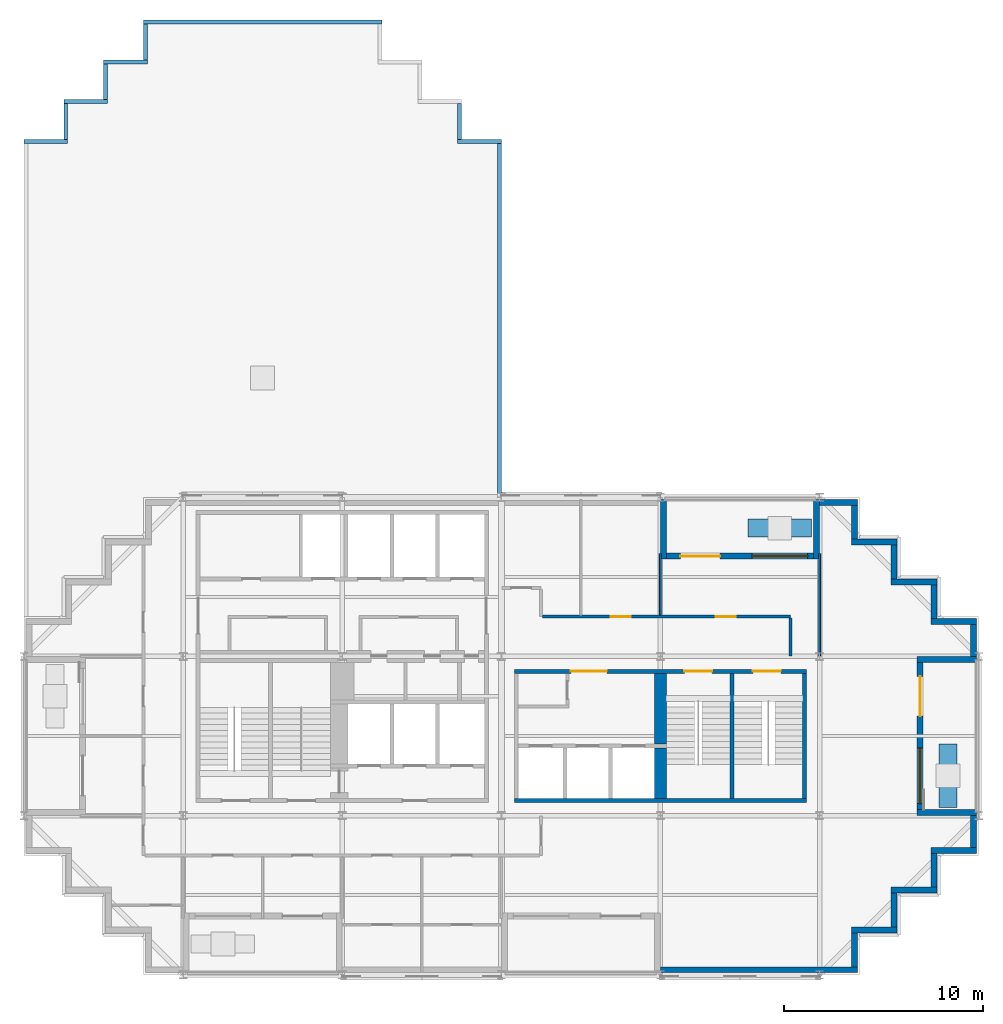
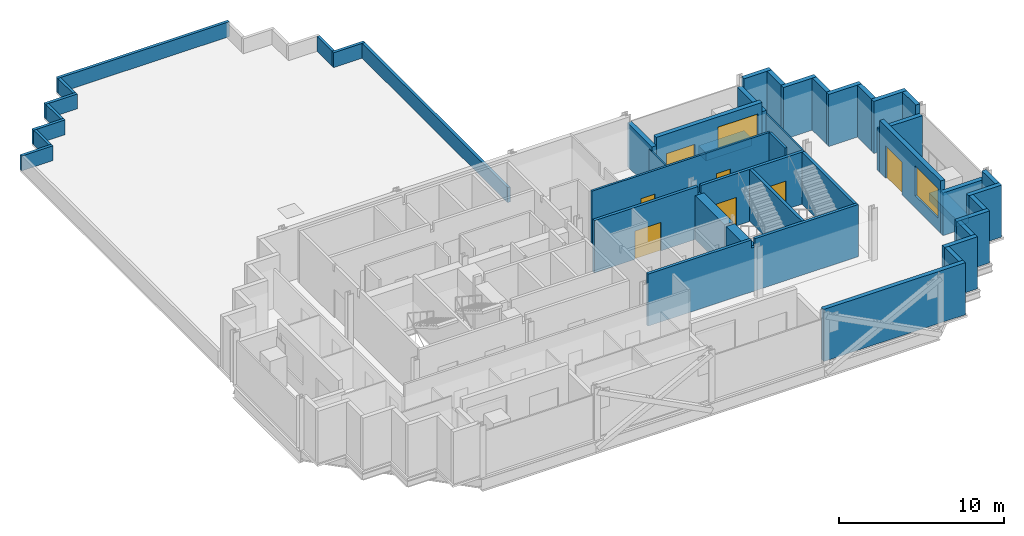
# One storey, part 6 of 9: 44 walls, 7 doors, 2 windows, 9 openings.
"""IFC4 building model written with IfcOpenShell, lengths in metres."""

from ifc_helpers import new_model, si_unit, direction, frame, frame_2d, origin, place, context, subcontext, project, spatial, polyline, rectangle, outline, extrude, material, layer, layer_set, type_object, element, fill, save


model = new_model("IFC4")

# Units and contexts
model_context = context("Model", 3, precision=1e-05, world=origin(), true_north=direction((0.0, 1.0)))
body_context = subcontext(model_context, "Body", "Model", "MODEL_VIEW")
ifc_project = project(units=[si_unit("LENGTHUNIT", "METRE"), si_unit("AREAUNIT", "SQUARE_METRE"), si_unit("VOLUMEUNIT", "CUBIC_METRE"), si_unit("PLANEANGLEUNIT", "RADIAN"), si_unit("MASSUNIT", "GRAM", prefix="KILO")], contexts=[model_context])

# Site, building, storey
site_placement = place(None, origin())
site = spatial("IfcSite", under=ifc_project, at=site_placement, CompositionType="ELEMENT")
building_placement = place(site_placement, origin())
building = spatial("IfcBuilding", under=site, at=building_placement, Name="Immortelle Media Tower", CompositionType="ELEMENT")
storey_placement = place(building_placement, frame((0.0, 0.0, 189.0)))
storey = spatial("IfcBuildingStorey", under=building, at=storey_placement, Name="L39", CompositionType="ELEMENT", Elevation=189.0)

# Wall
ifc_material_1 = material(Name="Fire-rated gypsum board", Category="gypsum")
ifc_layer_1 = layer(ifc_material_1, 0.012451171875)
ifc_material_2 = material(Name="Steel ASTM A653 SS Gr 50 stud frame with mineral wool", Category="steel")
ifc_layer_2 = layer(ifc_material_2, 0.125)
ifc_layer_3 = layer(ifc_material_1, 0.012451171875)
ifc_layer_set_1 = layer_set([ifc_layer_1, ifc_layer_2, ifc_layer_3], Name="Steel ASTM A653 SS Gr 50 stud frame with mineral wool")
wall_type_1 = type_object("IfcWallType", Name="Corridor wall 150", PredefinedType="PARTITIONING", material=ifc_layer_set_1)
wall_1_placement = place(storey_placement, frame((38.550048828125, 16.030029296875, 0.0), z_axis=(0.0, 0.0, 1.0), x_axis=(0.0, 1.0, 0.0)))
element("IfcWall", 1, at=wall_1_placement, inside=storey, type_object=wall_type_1, Name="Partition L39-017", PredefinedType="PARTITIONING", context=body_context, shape_type="SweptSolid", body=[
    extrude(rectangle(XDim=1.89501953125, YDim=0.14990234375, at=frame_2d((0.947509765625, 0.0))), origin(), (0.0, 0.0, 1.0), 3.85009765625),
])

# Wall, openings, doors
wall_2_placement = place(storey_placement, frame((26.074951171875, 18.0, 0.0), z_axis=(0.0, 0.0, 1.0), x_axis=(1.0, 0.0, 0.0)))
wall_2 = element("IfcWall", 2, at=wall_2_placement, inside=storey, type_object=wall_type_1, Name="Partition L39-019", PredefinedType="PARTITIONING", context=body_context, shape_type="SweptSolid", body=[
    extrude(rectangle(XDim=12.47509765625, YDim=0.14990234375, at=frame_2d((6.237548828125, 0.0))), origin(), (0.0, 0.0, 1.0), 3.85009765625),
])
opening_1_placement = place(wall_2_placement, frame((8.699951171875, 0.0, 0.0)))
opening_1 = element("IfcOpeningElement", 3, at=opening_1_placement, cuts=wall_2, Name="Opening O1-F013", PredefinedType="OPENING", context=body_context, shape_type="SweptSolid", body=[
    extrude(rectangle(XDim=1.0, YDim=2.10009765625, at=frame_2d((0.5, 1.050048828125))), frame((0.0, 0.0849609375, 0.0), z_axis=(0.0, -1.0, 0.0), x_axis=(1.0, 0.0, 0.0)), (0.0, 0.0, 1.0), 0.169921875),
])
opening_2_placement = place(wall_2_placement, frame((3.425048828125, 0.0, 0.0)))
opening_2 = element("IfcOpeningElement", 4, at=opening_2_placement, cuts=wall_2, Name="Opening O1-F015", PredefinedType="OPENING", context=body_context, shape_type="SweptSolid", body=[
    extrude(rectangle(XDim=1.0, YDim=2.10009765625, at=frame_2d((0.5, 1.050048828125))), frame((0.0, 0.0849609375, 0.0), z_axis=(0.0, -1.0, 0.0), x_axis=(1.0, 0.0, 0.0)), (0.0, 0.0, 1.0), 0.169921875),
])
ifc_material_3 = material(Name="Timber veneered door leaf, galvanised steel frame ASTM A653", Category="steel")
door_type_1 = type_object("IfcDoorType", Name="Room door 1000 x 2100", OperationType="NOTDEFINED", PredefinedType="DOOR", material=ifc_material_3)
door_1_placement = place(opening_1_placement, origin())
door_1 = element("IfcDoor", 5, at=door_1_placement, inside=storey, type_object=door_type_1, Name="Door O1-F013", OperationType="SINGLE_SWING_LEFT", OverallHeight=2.10009765625, OverallWidth=1.0, PredefinedType="DOOR", context=body_context, shape_type="SweptSolid", body=[
    extrude(rectangle(XDim=1.0, YDim=2.10009765625, at=frame_2d((0.5, 1.050048828125))), frame((0.0, 0.02490234375, 0.0), z_axis=(0.0, -1.0, 0.0), x_axis=(1.0, 0.0, 0.0)), (0.0, 0.0, 1.0), 0.050048828125),
])
fill(opening_1, door_1)
door_2_placement = place(opening_2_placement, origin())
door_2 = element("IfcDoor", 6, at=door_2_placement, inside=storey, type_object=door_type_1, Name="Door O1-F015", OperationType="SINGLE_SWING_LEFT", OverallHeight=2.10009765625, OverallWidth=1.0, PredefinedType="DOOR", context=body_context, shape_type="SweptSolid", body=[
    extrude(rectangle(XDim=1.0, YDim=2.10009765625, at=frame_2d((0.5, 1.050048828125))), frame((0.0, 0.02490234375, 0.0), z_axis=(0.0, -1.0, 0.0), x_axis=(1.0, 0.0, 0.0)), (0.0, 0.0, 1.0), 0.050048828125),
])
fill(opening_2, door_2)

# Walls
ifc_material_4 = material(Name="Pale aluminium cladding panel", Category="aluminium")
ifc_layer_4 = layer(ifc_material_4, 0.030029296875)
ifc_layer_5 = layer(ifc_material_2, 0.257568359375)
ifc_material_5 = material(Name="Moisture-resistant gypsum board", Category="gypsum")
ifc_layer_6 = layer(ifc_material_5, 0.012451171875)
ifc_layer_set_2 = layer_set([ifc_layer_4, ifc_layer_5, ifc_layer_6], Name="Steel ASTM A653 SS Gr 50 stud frame with mineral wool")
wall_type_2 = type_object("IfcWallType", Name="Facade wall 300", PredefinedType="SOLIDWALL", material=ifc_layer_set_2)
wall_3_placement = place(storey_placement, frame((32.0, 0.25, 0.0), z_axis=(0.0, 0.0, 1.0), x_axis=(1.0, 0.0, 0.0)))
element("IfcWall", 7, at=wall_3_placement, inside=storey, type_object=wall_type_2, Name="Facade wall L39 S6", PredefinedType="SOLIDWALL", context=body_context, shape_type="SweptSolid", body=[
    extrude(rectangle(XDim=9.89990234375, YDim=0.300048828125, at=frame_2d((4.949951171875, 0.0))), origin(), (0.0, 0.0, 1.0), 3.85009765625),
])
wall_4_placement = place(storey_placement, frame((41.75, 0.39990234375, 0.0), z_axis=(0.0, 0.0, 1.0), x_axis=(0.0, 1.0, 0.0)))
element("IfcWall", 8, at=wall_4_placement, inside=storey, type_object=wall_type_2, Name="Facade wall L39 E7", PredefinedType="SOLIDWALL", context=body_context, shape_type="SweptSolid", body=[
    extrude(rectangle(XDim=1.7001953125, YDim=0.300048828125, at=frame_2d((0.85009765625, 0.0))), origin(), (0.0, 0.0, 1.0), 3.85009765625),
])
wall_5_placement = place(storey_placement, frame((41.60009765625, 2.25, 0.0), z_axis=(0.0, 0.0, 1.0), x_axis=(1.0, 0.0, 0.0)))
element("IfcWall", 9, at=wall_5_placement, inside=storey, type_object=wall_type_2, Name="Facade wall L39 S8", PredefinedType="SOLIDWALL", context=body_context, shape_type="SweptSolid", body=[
    extrude(rectangle(XDim=2.2998046875, YDim=0.300048828125, at=frame_2d((1.14990234375, 0.0))), origin(), (0.0, 0.0, 1.0), 3.85009765625),
])
wall_6_placement = place(storey_placement, frame((43.75, 2.39990234375, 0.0), z_axis=(0.0, 0.0, 1.0), x_axis=(0.0, 1.0, 0.0)))
element("IfcWall", 10, at=wall_6_placement, inside=storey, type_object=wall_type_2, Name="Facade wall L39 E9", PredefinedType="SOLIDWALL", context=body_context, shape_type="SweptSolid", body=[
    extrude(rectangle(XDim=1.7001953125, YDim=0.300048828125, at=frame_2d((0.85009765625, 0.0))), origin(), (0.0, 0.0, 1.0), 3.85009765625),
])
wall_7_placement = place(storey_placement, frame((43.60009765625, 4.25, 0.0), z_axis=(0.0, 0.0, 1.0), x_axis=(1.0, 0.0, 0.0)))
element("IfcWall", 11, at=wall_7_placement, inside=storey, type_object=wall_type_2, Name="Facade wall L39 S10", PredefinedType="SOLIDWALL", context=body_context, shape_type="SweptSolid", body=[
    extrude(rectangle(XDim=2.2998046875, YDim=0.300048828125, at=frame_2d((1.14990234375, 0.0))), origin(), (0.0, 0.0, 1.0), 3.85009765625),
])
wall_8_placement = place(storey_placement, frame((45.75, 4.39990234375, 0.0), z_axis=(0.0, 0.0, 1.0), x_axis=(0.0, 1.0, 0.0)))
element("IfcWall", 12, at=wall_8_placement, inside=storey, type_object=wall_type_2, Name="Facade wall L39 E11", PredefinedType="SOLIDWALL", context=body_context, shape_type="SweptSolid", body=[
    extrude(rectangle(XDim=1.7001953125, YDim=0.300048828125, at=frame_2d((0.85009765625, 0.0))), origin(), (0.0, 0.0, 1.0), 3.85009765625),
])
wall_9_placement = place(storey_placement, frame((45.60009765625, 6.25, 0.0), z_axis=(0.0, 0.0, 1.0), x_axis=(1.0, 0.0, 0.0)))
element("IfcWall", 13, at=wall_9_placement, inside=storey, type_object=wall_type_2, Name="Facade wall L39 S12", PredefinedType="SOLIDWALL", context=body_context, shape_type="SweptSolid", body=[
    extrude(rectangle(XDim=2.2998046875, YDim=0.300048828125, at=frame_2d((1.14990234375, 0.0))), origin(), (0.0, 0.0, 1.0), 3.85009765625),
])
wall_10_placement = place(storey_placement, frame((47.75, 6.39990234375, 0.0), z_axis=(0.0, 0.0, 1.0), x_axis=(0.0, 1.0, 0.0)))
element("IfcWall", 14, at=wall_10_placement, inside=storey, type_object=wall_type_2, Name="Facade wall L39 E13", PredefinedType="SOLIDWALL", context=body_context, shape_type="SweptSolid", body=[
    extrude(rectangle(XDim=1.60009765625, YDim=0.300048828125, at=frame_2d((0.800048828125, 0.0))), origin(), (0.0, 0.0, 1.0), 3.85009765625),
])

# Wall, openings, door, window
wall_11_placement = place(storey_placement, frame((45.050048828125, 8.300048828125, 0.0), z_axis=(0.0, 0.0, 1.0), x_axis=(0.0, 1.0, 0.0)))
wall_11 = element("IfcWall", 15, at=wall_11_placement, inside=storey, type_object=wall_type_2, Name="Loggia wall L39 E13", PredefinedType="SOLIDWALL", context=body_context, shape_type="SweptSolid", body=[
    extrude(rectangle(XDim=7.39990234375, YDim=0.300048828125, at=frame_2d((3.699951171875, 0.0))), origin(), (0.0, 0.0, 1.0), 3.85009765625),
])
opening_3_placement = place(wall_11_placement, frame((0.300048828125, 0.0, 0.89990234375)))
opening_3 = element("IfcOpeningElement", 16, at=opening_3_placement, cuts=wall_11, Name="Opening W1", PredefinedType="OPENING", context=body_context, shape_type="SweptSolid", body=[
    extrude(rectangle(XDim=2.800048828125, YDim=2.199951171875, at=frame_2d((1.39990234375, 1.10009765625))), frame((0.0, 0.159912109375, 0.0), z_axis=(0.0, -1.0, 0.0), x_axis=(1.0, 0.0, 0.0)), (0.0, 0.0, 1.0), 0.320068359375),
])
opening_4_placement = place(wall_11_placement, frame((4.699951171875, 0.0, 0.0)))
opening_4 = element("IfcOpeningElement", 17, at=opening_4_placement, cuts=wall_11, Name="Opening O1-E003", PredefinedType="OPENING", context=body_context, shape_type="SweptSolid", body=[
    extrude(rectangle(XDim=2.0, YDim=2.39990234375, at=frame_2d((1.0, 1.199951171875))), frame((0.0, 0.159912109375, 0.0), z_axis=(0.0, -1.0, 0.0), x_axis=(1.0, 0.0, 0.0)), (0.0, 0.0, 1.0), 0.320068359375),
])
ifc_material_6 = material(Name="Aluminium frame, glazed leaves", Category="aluminium")
door_type_2 = type_object("IfcDoorType", Name="Loggia door 2000 x 2400", OperationType="DOUBLE_DOOR_SINGLE_SWING", PredefinedType="DOOR", material=ifc_material_6)
door_3_placement = place(opening_4_placement, origin())
door_3 = element("IfcDoor", 18, at=door_3_placement, inside=storey, type_object=door_type_2, Name="Door O1-E003", OperationType="DOUBLE_DOOR_SINGLE_SWING", OverallHeight=2.39990234375, OverallWidth=2.0, PredefinedType="DOOR", context=body_context, shape_type="SweptSolid", body=[
    extrude(rectangle(XDim=2.0, YDim=2.39990234375, at=frame_2d((1.0, 1.199951171875))), frame((0.0, 0.02490234375, 0.0), z_axis=(0.0, -1.0, 0.0), x_axis=(1.0, 0.0, 0.0)), (0.0, 0.0, 1.0), 0.050048828125),
])
fill(opening_4, door_3)
ifc_material_7 = material(Name="Aluminium frame", Category="aluminium")
window_type = type_object("IfcWindowType", Name="Window 2800 x 2200", PartitioningType="SINGLE_PANEL", PredefinedType="WINDOW", material=ifc_material_7)
window_1_placement = place(opening_3_placement, origin())
window_1 = element("IfcWindow", 19, at=window_1_placement, inside=storey, type_object=window_type, Name="Window L39 L39-R13-B0", OverallHeight=2.199951171875, OverallWidth=2.800048828125, PartitioningType="SINGLE_PANEL", PredefinedType="WINDOW", context=body_context, shape_type="SweptSolid", body=[
    extrude(rectangle(XDim=2.800048828125, YDim=2.199951171875, at=frame_2d((1.39990234375, 1.10009765625))), frame((0.0, 0.030029296875, 0.0), z_axis=(0.0, -1.0, 0.0), x_axis=(1.0, 0.0, 0.0)), (0.0, 0.0, 1.0), 0.06005859375),
])
fill(opening_3, window_1)

# Walls
for number, where, z_axis, x_axis, name in (
    (20, (47.89990234375, 8.14990234375, 0.0), (0.0, 0.0, 1.0), (-1.0, 0.0, 0.0), "Loggia cheek wall L39 E"),
    (21, (47.89990234375, 15.85009765625, 0.0), (0.0, 0.0, 1.0), (-1.0, 0.0, 0.0), "Loggia cheek wall L39 E"),
):
    element("IfcWall", number, at=place(storey_placement, frame(where, z_axis=z_axis, x_axis=x_axis)), inside=storey, type_object=wall_type_2, Name=name, PredefinedType="SOLIDWALL", context=body_context, shape_type="SweptSolid", body=[
        extrude(rectangle(XDim=3.0, YDim=0.300048828125, at=frame_2d((1.5, 0.0))), origin(), (0.0, 0.0, 1.0), 3.156005859375),
    ])
wall_12_placement = place(storey_placement, frame((47.75, 16.0, 0.0), z_axis=(0.0, 0.0, 1.0), x_axis=(0.0, 1.0, 0.0)))
element("IfcWall", 22, at=wall_12_placement, inside=storey, type_object=wall_type_2, Name="Facade wall L39 E13", PredefinedType="SOLIDWALL", context=body_context, shape_type="SweptSolid", body=[
    extrude(rectangle(XDim=1.60009765625, YDim=0.300048828125, at=frame_2d((0.800048828125, 0.0))), origin(), (0.0, 0.0, 1.0), 3.85009765625),
])
wall_13_placement = place(storey_placement, frame((47.89990234375, 17.75, 0.0), z_axis=(0.0, 0.0, 1.0), x_axis=(-1.0, 0.0, 0.0)))
element("IfcWall", 23, at=wall_13_placement, inside=storey, type_object=wall_type_2, Name="Facade wall L39 N14", PredefinedType="SOLIDWALL", context=body_context, shape_type="SweptSolid", body=[
    extrude(rectangle(XDim=2.2998046875, YDim=0.300048828125, at=frame_2d((1.14990234375, 0.0))), origin(), (0.0, 0.0, 1.0), 3.85009765625),
])
wall_14_placement = place(storey_placement, frame((45.75, 17.89990234375, 0.0), z_axis=(0.0, 0.0, 1.0), x_axis=(0.0, 1.0, 0.0)))
element("IfcWall", 24, at=wall_14_placement, inside=storey, type_object=wall_type_2, Name="Facade wall L39 E15", PredefinedType="SOLIDWALL", context=body_context, shape_type="SweptSolid", body=[
    extrude(rectangle(XDim=1.7001953125, YDim=0.300048828125, at=frame_2d((0.85009765625, 0.0))), origin(), (0.0, 0.0, 1.0), 3.85009765625),
])
wall_15_placement = place(storey_placement, frame((45.89990234375, 19.75, 0.0), z_axis=(0.0, 0.0, 1.0), x_axis=(-1.0, 0.0, 0.0)))
element("IfcWall", 25, at=wall_15_placement, inside=storey, type_object=wall_type_2, Name="Facade wall L39 N16", PredefinedType="SOLIDWALL", context=body_context, shape_type="SweptSolid", body=[
    extrude(rectangle(XDim=2.2998046875, YDim=0.300048828125, at=frame_2d((1.14990234375, 0.0))), origin(), (0.0, 0.0, 1.0), 3.85009765625),
])
wall_16_placement = place(storey_placement, frame((43.75, 19.89990234375, 0.0), z_axis=(0.0, 0.0, 1.0), x_axis=(0.0, 1.0, 0.0)))
element("IfcWall", 26, at=wall_16_placement, inside=storey, type_object=wall_type_2, Name="Facade wall L39 E17", PredefinedType="SOLIDWALL", context=body_context, shape_type="SweptSolid", body=[
    extrude(rectangle(XDim=1.7001953125, YDim=0.300048828125, at=frame_2d((0.85009765625, 0.0))), origin(), (0.0, 0.0, 1.0), 3.85009765625),
])
wall_17_placement = place(storey_placement, frame((43.89990234375, 21.75, 0.0), z_axis=(0.0, 0.0, 1.0), x_axis=(-1.0, 0.0, 0.0)))
element("IfcWall", 27, at=wall_17_placement, inside=storey, type_object=wall_type_2, Name="Facade wall L39 N18", PredefinedType="SOLIDWALL", context=body_context, shape_type="SweptSolid", body=[
    extrude(rectangle(XDim=2.2998046875, YDim=0.300048828125, at=frame_2d((1.14990234375, 0.0))), origin(), (0.0, 0.0, 1.0), 3.85009765625),
])
wall_18_placement = place(storey_placement, frame((41.75, 21.89990234375, 0.0), z_axis=(0.0, 0.0, 1.0), x_axis=(0.0, 1.0, 0.0)))
element("IfcWall", 28, at=wall_18_placement, inside=storey, type_object=wall_type_2, Name="Facade wall L39 E19", PredefinedType="SOLIDWALL", context=body_context, shape_type="SweptSolid", body=[
    extrude(rectangle(XDim=1.7001953125, YDim=0.300048828125, at=frame_2d((0.85009765625, 0.0))), origin(), (0.0, 0.0, 1.0), 3.85009765625),
])
wall_19_placement = place(storey_placement, frame((41.89990234375, 23.75, 0.0), z_axis=(0.0, 0.0, 1.0), x_axis=(-1.0, 0.0, 0.0)))
element("IfcWall", 29, at=wall_19_placement, inside=storey, type_object=wall_type_2, Name="Facade wall L39 N20", PredefinedType="SOLIDWALL", context=body_context, shape_type="SweptSolid", body=[
    extrude(rectangle(XDim=1.89990234375, YDim=0.300048828125, at=frame_2d((0.949951171875, 0.0))), origin(), (0.0, 0.0, 1.0), 3.85009765625),
])

# Wall, openings, door, window
wall_20_placement = place(storey_placement, frame((39.699951171875, 21.050048828125, 0.0), z_axis=(0.0, 0.0, 1.0), x_axis=(-1.0, 0.0, 0.0)))
wall_20 = element("IfcWall", 30, at=wall_20_placement, inside=storey, type_object=wall_type_2, Name="Loggia wall L39 N20", PredefinedType="SOLIDWALL", context=body_context, shape_type="SweptSolid", body=[
    extrude(rectangle(XDim=7.39990234375, YDim=0.300048828125, at=frame_2d((3.699951171875, 0.0))), origin(), (0.0, 0.0, 1.0), 3.85009765625),
])
opening_5_placement = place(wall_20_placement, frame((0.300048828125, 0.0, 0.89990234375)))
opening_5 = element("IfcOpeningElement", 31, at=opening_5_placement, cuts=wall_20, Name="Opening W1", PredefinedType="OPENING", context=body_context, shape_type="SweptSolid", body=[
    extrude(rectangle(XDim=2.800048828125, YDim=2.199951171875, at=frame_2d((1.39990234375, 1.10009765625))), frame((0.0, 0.159912109375, 0.0), z_axis=(0.0, -1.0, 0.0), x_axis=(1.0, 0.0, 0.0)), (0.0, 0.0, 1.0), 0.320068359375),
])
opening_6_placement = place(wall_20_placement, frame((4.699951171875, 0.0, 0.0)))
opening_6 = element("IfcOpeningElement", 32, at=opening_6_placement, cuts=wall_20, Name="Opening O1-E004", PredefinedType="OPENING", context=body_context, shape_type="SweptSolid", body=[
    extrude(rectangle(XDim=2.0, YDim=2.39990234375, at=frame_2d((1.0, 1.199951171875))), frame((0.0, 0.159912109375, 0.0), z_axis=(0.0, -1.0, 0.0), x_axis=(1.0, 0.0, 0.0)), (0.0, 0.0, 1.0), 0.320068359375),
])
door_4_placement = place(opening_6_placement, origin())
door_4 = element("IfcDoor", 33, at=door_4_placement, inside=storey, type_object=door_type_2, Name="Door O1-E004", OperationType="DOUBLE_DOOR_SINGLE_SWING", OverallHeight=2.39990234375, OverallWidth=2.0, PredefinedType="DOOR", context=body_context, shape_type="SweptSolid", body=[
    extrude(rectangle(XDim=2.0, YDim=2.39990234375, at=frame_2d((1.0, 1.199951171875))), frame((0.0, 0.02490234375, 0.0), z_axis=(0.0, -1.0, 0.0), x_axis=(1.0, 0.0, 0.0)), (0.0, 0.0, 1.0), 0.050048828125),
])
fill(opening_6, door_4)
window_2_placement = place(opening_5_placement, origin())
window_2 = element("IfcWindow", 34, at=window_2_placement, inside=storey, type_object=window_type, Name="Window L39 L39-R20-B0", OverallHeight=2.199951171875, OverallWidth=2.800048828125, PartitioningType="SINGLE_PANEL", PredefinedType="WINDOW", context=body_context, shape_type="SweptSolid", body=[
    extrude(rectangle(XDim=2.800048828125, YDim=2.199951171875, at=frame_2d((1.39990234375, 1.10009765625))), frame((0.0, 0.030029296875, 0.0), z_axis=(0.0, -1.0, 0.0), x_axis=(1.0, 0.0, 0.0)), (0.0, 0.0, 1.0), 0.06005859375),
])
fill(opening_5, window_2)

# Walls
wall_21_placement = place(storey_placement, frame((39.85009765625, 23.89990234375, 0.0), z_axis=(0.0, 0.0, 1.0), x_axis=(0.0, -1.0, 0.0)))
element("IfcWall", 35, at=wall_21_placement, inside=storey, type_object=wall_type_2, Name="Loggia cheek wall L39 N", PredefinedType="SOLIDWALL", context=body_context, shape_type="SweptSolid", body=[
    extrude(rectangle(XDim=3.0, YDim=0.300048828125, at=frame_2d((1.5, 0.0))), origin(), (0.0, 0.0, 1.0), 3.156005859375),
])
wall_22_placement = place(storey_placement, frame((32.14990234375, 23.89990234375, 0.0), z_axis=(0.0, 0.0, 1.0), x_axis=(0.0, -1.0, 0.0)))
element("IfcWall", 36, at=wall_22_placement, inside=storey, type_object=wall_type_2, Name="Loggia cheek wall L39 N", PredefinedType="SOLIDWALL", context=body_context, shape_type="SweptSolid", body=[
    extrude(rectangle(XDim=3.0, YDim=0.300048828125, at=frame_2d((1.5, 0.0))), origin(), (0.0, 0.0, 1.0), 3.237060546875),
])
ifc_material_8 = material(Name="Pale aluminium coping panel", Category="aluminium")
ifc_layer_7 = layer(ifc_material_8, 0.030029296875)
ifc_layer_8 = layer(ifc_material_2, 0.139892578125)
ifc_layer_9 = layer(ifc_material_8, 0.030029296875)
ifc_layer_set_3 = layer_set([ifc_layer_7, ifc_layer_8, ifc_layer_9], Name="Steel ASTM A653 SS Gr 50 stud frame with mineral wool")
wall_type_3 = type_object("IfcWallType", Name="Parapet 200", PredefinedType="PARAPET", material=ifc_layer_set_3)
wall_23_placement = place(storey_placement, frame((0.0, 41.89990234375, 0.0), z_axis=(0.0, 0.0, 1.0), x_axis=(1.0, 0.0, 0.0)))
element("IfcWall", 37, at=wall_23_placement, inside=storey, type_object=wall_type_3, Name="Roof parapet L39 NW", PredefinedType="PARAPET", context=body_context, shape_type="SweptSolid", body=[
    extrude(rectangle(XDim=2.199951171875, YDim=0.199951171875, at=frame_2d((1.10009765625, 0.0))), origin(), (0.0, 0.0, 1.0), 1.10009765625),
])
wall_24_placement = place(storey_placement, frame((2.10009765625, 42.0, 0.0), z_axis=(0.0, 0.0, 1.0), x_axis=(0.0, 1.0, 0.0)))
element("IfcWall", 38, at=wall_24_placement, inside=storey, type_object=wall_type_3, Name="Roof parapet L39 NW", PredefinedType="PARAPET", context=body_context, shape_type="SweptSolid", body=[
    extrude(rectangle(XDim=1.800048828125, YDim=0.199951171875, at=frame_2d((0.89990234375, 0.0))), origin(), (0.0, 0.0, 1.0), 1.10009765625),
])
wall_25_placement = place(storey_placement, frame((2.0, 43.89990234375, 0.0), z_axis=(0.0, 0.0, 1.0), x_axis=(1.0, 0.0, 0.0)))
element("IfcWall", 39, at=wall_25_placement, inside=storey, type_object=wall_type_3, Name="Roof parapet L39 NW", PredefinedType="PARAPET", context=body_context, shape_type="SweptSolid", body=[
    extrude(rectangle(XDim=2.199951171875, YDim=0.199951171875, at=frame_2d((1.10009765625, 0.0))), origin(), (0.0, 0.0, 1.0), 1.10009765625),
])
wall_26_placement = place(storey_placement, frame((4.10009765625, 44.0, 0.0), z_axis=(0.0, 0.0, 1.0), x_axis=(0.0, 1.0, 0.0)))
element("IfcWall", 40, at=wall_26_placement, inside=storey, type_object=wall_type_3, Name="Roof parapet L39 NW", PredefinedType="PARAPET", context=body_context, shape_type="SweptSolid", body=[
    extrude(rectangle(XDim=1.800048828125, YDim=0.199951171875, at=frame_2d((0.89990234375, 0.0))), origin(), (0.0, 0.0, 1.0), 1.10009765625),
])
wall_27_placement = place(storey_placement, frame((4.0, 45.89990234375, 0.0), z_axis=(0.0, 0.0, 1.0), x_axis=(1.0, 0.0, 0.0)))
element("IfcWall", 41, at=wall_27_placement, inside=storey, type_object=wall_type_3, Name="Roof parapet L39 NW", PredefinedType="PARAPET", context=body_context, shape_type="SweptSolid", body=[
    extrude(rectangle(XDim=2.199951171875, YDim=0.199951171875, at=frame_2d((1.10009765625, 0.0))), origin(), (0.0, 0.0, 1.0), 1.10009765625),
])
wall_28_placement = place(storey_placement, frame((6.10009765625, 46.0, 0.0), z_axis=(0.0, 0.0, 1.0), x_axis=(0.0, 1.0, 0.0)))
element("IfcWall", 42, at=wall_28_placement, inside=storey, type_object=wall_type_3, Name="Roof parapet L39 NW", PredefinedType="PARAPET", context=body_context, shape_type="SweptSolid", body=[
    extrude(rectangle(XDim=1.800048828125, YDim=0.199951171875, at=frame_2d((0.89990234375, 0.0))), origin(), (0.0, 0.0, 1.0), 1.10009765625),
])
wall_29_placement = place(storey_placement, frame((6.0, 47.89990234375, 0.0), z_axis=(0.0, 0.0, 1.0), x_axis=(1.0, 0.0, 0.0)))
element("IfcWall", 43, at=wall_29_placement, inside=storey, type_object=wall_type_3, Name="Roof parapet L39 NW", PredefinedType="PARAPET", context=body_context, shape_type="SweptSolid", body=[
    extrude(rectangle(XDim=12.0, YDim=0.199951171875, at=frame_2d((6.0, 0.0))), origin(), (0.0, 0.0, 1.0), 1.10009765625),
])
wall_30_placement = place(storey_placement, frame((21.89990234375, 43.800048828125, 0.0), z_axis=(0.0, 0.0, 1.0), x_axis=(0.0, -1.0, 0.0)))
element("IfcWall", 44, at=wall_30_placement, inside=storey, type_object=wall_type_3, Name="Roof parapet L39 NW", PredefinedType="PARAPET", context=body_context, shape_type="SweptSolid", body=[
    extrude(rectangle(XDim=1.800048828125, YDim=0.199951171875, at=frame_2d((0.89990234375, 0.0))), origin(), (0.0, 0.0, 1.0), 1.10009765625),
])
wall_31_placement = place(storey_placement, frame((21.800048828125, 41.89990234375, 0.0), z_axis=(0.0, 0.0, 1.0), x_axis=(1.0, 0.0, 0.0)))
element("IfcWall", 45, at=wall_31_placement, inside=storey, type_object=wall_type_3, Name="Roof parapet L39 NW", PredefinedType="PARAPET", context=body_context, shape_type="SweptSolid", body=[
    extrude(rectangle(XDim=2.199951171875, YDim=0.199951171875, at=frame_2d((1.10009765625, 0.0))), origin(), (0.0, 0.0, 1.0), 1.10009765625),
])
wall_32_placement = place(storey_placement, frame((23.89990234375, 41.800048828125, 0.0), z_axis=(0.0, 0.0, 1.0), x_axis=(0.0, -1.0, 0.0)))
element("IfcWall", 46, at=wall_32_placement, inside=storey, type_object=wall_type_3, Name="Roof parapet L39 NW", PredefinedType="PARAPET", context=body_context, shape_type="SweptSolid", body=[
    extrude(rectangle(XDim=17.59814453125, YDim=0.199951171875, at=frame_2d((8.799072265625, 0.0))), origin(), (0.0, 0.0, 1.0), 1.10009765625),
])
ifc_material_9 = material(Name="Gypsum board", Category="gypsum")
ifc_layer_10 = layer(ifc_material_9, 0.012451171875)
ifc_layer_11 = layer(ifc_material_2, 0.074951171875)
ifc_layer_12 = layer(ifc_material_9, 0.012451171875)
ifc_layer_set_4 = layer_set([ifc_layer_10, ifc_layer_11, ifc_layer_12], Name="Steel ASTM A653 SS Gr 50 stud frame with mineral wool")
wall_type_4 = type_object("IfcWallType", Name="Partition 100", PredefinedType="PARTITIONING", material=ifc_layer_set_4)
wall_33_placement = place(storey_placement, frame((40.0, 16.030029296875, 0.0), z_axis=(0.0, 0.0, 1.0), x_axis=(0.0, 1.0, 0.0)))
element("IfcWall", 47, at=wall_33_placement, inside=storey, type_object=wall_type_4, Name="Partition L39-018", PredefinedType="PARTITIONING", context=body_context, shape_type="SweptSolid", body=[
    extrude(rectangle(XDim=5.139892578125, YDim=0.10009765625, at=frame_2d((2.56982421875, 0.0))), origin(), (0.0, 0.0, 1.0), 2.93603515625),
])
wall_34_placement = place(storey_placement, frame((32.0, 18.074951171875, 0.0), z_axis=(0.0, 0.0, 1.0), x_axis=(0.0, 1.0, 0.0)))
element("IfcWall", 48, at=wall_34_placement, inside=storey, type_object=wall_type_4, Name="Partition L39-022", PredefinedType="PARTITIONING", context=body_context, shape_type="SweptSolid", body=[
    extrude(rectangle(XDim=3.094970703125, YDim=0.10009765625, at=frame_2d((1.54736328125, 0.0))), origin(), (0.0, 0.0, 1.0), 2.93603515625),
])
ifc_layer_13 = layer(ifc_material_4, 0.0029296875)
ifc_material_10 = material(Name="Steel ASTM A572 Gr 50 planter shell", Category="steel")
ifc_layer_14 = layer(ifc_material_10, 0.011962890625)
ifc_material_11 = material(Name="Planting substrate", Category="soil")
ifc_layer_15 = layer(ifc_material_11, 0.873046875)
ifc_layer_16 = layer(ifc_material_10, 0.011962890625)
ifc_layer_set_5 = layer_set([ifc_layer_13, ifc_layer_14, ifc_layer_15, ifc_layer_16], Name="Steel ASTM A572 Gr 50 planter shell")
wall_type_5 = type_object("IfcWallType", Name="Planter wall 900", PredefinedType="SOLIDWALL", material=ifc_layer_set_5)
for number, where, z_axis, x_axis, name in (
    (49, (46.449951171875, 8.39990234375, 0.0), (0.0, 0.0, 1.0), (0.0, 1.0, 0.0), "Planter L39 E0"),
    (50, (39.60009765625, 22.449951171875, 0.0), (0.0, 0.0, 1.0), (-1.0, 0.0, 0.0), "Planter L39 N0"),
):
    element("IfcWall", number, at=place(storey_placement, frame(where, z_axis=z_axis, x_axis=x_axis)), inside=storey, type_object=wall_type_5, Name=name, PredefinedType="SOLIDWALL", context=body_context, shape_type="SweptSolid", body=[
        extrude(rectangle(XDim=3.2001953125, YDim=0.89990234375, at=frame_2d((1.60009765625, 0.0))), origin(), (0.0, 0.0, 1.0), 0.60009765625),
    ])
ifc_material_12 = material(Name="Concrete C60", Category="concrete")
ifc_layer_17 = layer(ifc_material_12, 0.199951171875)
ifc_layer_set_6 = layer_set([ifc_layer_17], Name="Concrete C60")
wall_type_6 = type_object("IfcWallType", Name="Stair shaft wall 200", PredefinedType="PARTITIONING", material=ifc_layer_set_6)
wall_35_placement = place(storey_placement, frame((24.64990234375, 8.75, 0.0), z_axis=(0.0, 0.0, 1.0), x_axis=(1.0, 0.0, 0.0)))
element("IfcWall", 51, at=wall_35_placement, inside=storey, type_object=wall_type_6, Name="Stair shaft wall SE", PredefinedType="PARTITIONING", context=body_context, shape_type="SweptSolid", body=[
    extrude(outline(polyline([(0.0, 0.0), (14.7001953125, 0.0), (14.699951171875, 3.85009765625), (7.468994140625, 3.85009765625), (7.468017578125, 3.241943359375), (7.23193359375, 3.241943359375), (7.23095703125, 3.85009765625), (0.0, 3.85009765625), (0.0, 0.0)])), frame((0.0, 0.10009765625, 0.0), z_axis=(0.0, -1.0, 0.0), x_axis=(1.0, 0.0, 0.0)), (0.0, 0.0, 1.0), 0.199951171875),
])

# Wall, openings, doors
wall_36_placement = place(storey_placement, frame((24.64990234375, 15.25, 0.0), z_axis=(0.0, 0.0, 1.0), x_axis=(1.0, 0.0, 0.0)))
wall_36 = element("IfcWall", 52, at=wall_36_placement, inside=storey, type_object=wall_type_6, Name="Stair shaft wall SE", PredefinedType="PARTITIONING", context=body_context, shape_type="SweptSolid", body=[
    extrude(outline(polyline([(0.0, 0.0), (14.7001953125, 0.0), (14.699951171875, 3.85009765625), (7.468994140625, 3.85009765625), (7.468017578125, 3.241943359375), (7.23193359375, 3.241943359375), (7.23095703125, 3.85009765625), (0.0, 3.85009765625), (0.0, 0.0)])), frame((0.0, 0.10009765625, 0.0), z_axis=(0.0, -1.0, 0.0), x_axis=(1.0, 0.0, 0.0)), (0.0, 0.0, 1.0), 0.199951171875),
])
opening_7_placement = place(wall_36_placement, frame((2.85009765625, 0.0, 0.0)))
opening_7 = element("IfcOpeningElement", 53, at=opening_7_placement, cuts=wall_36, Name="Opening O1-K023", PredefinedType="OPENING", context=body_context, shape_type="SweptSolid", body=[
    extrude(rectangle(XDim=1.800048828125, YDim=2.10009765625, at=frame_2d((0.89990234375, 1.050048828125))), frame((0.0, 0.10986328125, 0.0), z_axis=(0.0, -1.0, 0.0), x_axis=(1.0, 0.0, 0.0)), (0.0, 0.0, 1.0), 0.219970703125),
])
opening_8_placement = place(wall_36_placement, frame((9.949951171875, 0.0, 0.0), z_axis=(0.0, 0.0, 1.0), x_axis=(-1.0, 0.0, 0.0)))
opening_8 = element("IfcOpeningElement", 54, at=opening_8_placement, cuts=wall_36, Name="Opening O1-K025", PredefinedType="OPENING", context=body_context, shape_type="SweptSolid", body=[
    extrude(rectangle(XDim=1.39990234375, YDim=2.10009765625, at=frame_2d((0.699951171875, 1.050048828125))), frame((0.0, 0.10986328125, 0.0), z_axis=(0.0, -1.0, 0.0), x_axis=(1.0, 0.0, 0.0)), (0.0, 0.0, 1.0), 0.219970703125),
])
opening_9_placement = place(wall_36_placement, frame((13.39990234375, 0.0, 0.0), z_axis=(0.0, 0.0, 1.0), x_axis=(-1.0, 0.0, 0.0)))
opening_9 = element("IfcOpeningElement", 55, at=opening_9_placement, cuts=wall_36, Name="Opening O1-K026", PredefinedType="OPENING", context=body_context, shape_type="SweptSolid", body=[
    extrude(rectangle(XDim=1.39990234375, YDim=2.10009765625, at=frame_2d((0.699951171875, 1.050048828125))), frame((0.0, 0.10986328125, 0.0), z_axis=(0.0, -1.0, 0.0), x_axis=(1.0, 0.0, 0.0)), (0.0, 0.0, 1.0), 0.219970703125),
])
ifc_material_13 = material(Name="Galvanised steel door leaf and frame ASTM A653", Category="steel")
door_type_3 = type_object("IfcDoorType", Name="Lift lobby door 1800 x 2100", OperationType="DOUBLE_DOOR_SINGLE_SWING", PredefinedType="NOTDEFINED", material=ifc_material_13)
door_5_placement = place(opening_7_placement, origin())
door_5 = element("IfcDoor", 56, at=door_5_placement, inside=storey, type_object=door_type_3, Name="Lift lobby O1-K023", OperationType="DOUBLE_DOOR_SINGLE_SWING", OverallHeight=2.10009765625, OverallWidth=1.800048828125, PredefinedType="NOTDEFINED", context=body_context, shape_type="SweptSolid", body=[
    extrude(rectangle(XDim=1.800048828125, YDim=2.10009765625, at=frame_2d((0.89990234375, 1.050048828125))), frame((0.0, 0.02490234375, 0.0), z_axis=(0.0, -1.0, 0.0), x_axis=(1.0, 0.0, 0.0)), (0.0, 0.0, 1.0), 0.050048828125),
])
fill(opening_7, door_5)
door_type_4 = type_object("IfcDoorType", Name="Stair door 1400 x 2100", OperationType="DOUBLE_DOOR_SINGLE_SWING", PredefinedType="NOTDEFINED", material=ifc_material_13)
door_6_placement = place(opening_8_placement, origin())
door_6 = element("IfcDoor", 57, at=door_6_placement, inside=storey, type_object=door_type_4, Name="Stair O1-K025", OperationType="DOUBLE_DOOR_SINGLE_SWING", OverallHeight=2.10009765625, OverallWidth=1.39990234375, PredefinedType="NOTDEFINED", context=body_context, shape_type="SweptSolid", body=[
    extrude(rectangle(XDim=1.39990234375, YDim=2.10009765625, at=frame_2d((0.699951171875, 1.050048828125))), frame((0.0, 0.02490234375, 0.0), z_axis=(0.0, -1.0, 0.0), x_axis=(1.0, 0.0, 0.0)), (0.0, 0.0, 1.0), 0.050048828125),
])
fill(opening_8, door_6)
door_7_placement = place(opening_9_placement, origin())
door_7 = element("IfcDoor", 58, at=door_7_placement, inside=storey, type_object=door_type_4, Name="Stair O1-K026", OperationType="DOUBLE_DOOR_SINGLE_SWING", OverallHeight=2.10009765625, OverallWidth=1.39990234375, PredefinedType="NOTDEFINED", context=body_context, shape_type="SweptSolid", body=[
    extrude(rectangle(XDim=1.39990234375, YDim=2.10009765625, at=frame_2d((0.699951171875, 1.050048828125))), frame((0.0, 0.02490234375, 0.0), z_axis=(0.0, -1.0, 0.0), x_axis=(1.0, 0.0, 0.0)), (0.0, 0.0, 1.0), 0.050048828125),
])
fill(opening_9, door_7)

# Walls
for number, where, z_axis, x_axis, name in (
    (59, (35.60009765625, 8.85009765625, 0.0), (0.0, 0.0, 1.0), (0.0, 1.0, 0.0), "Stair shaft wall SE"),
    (60, (39.25, 8.85009765625, 0.0), (0.0, 0.0, 1.0), (0.0, 1.0, 0.0), "Stair shaft wall SE"),
):
    element("IfcWall", number, at=place(storey_placement, frame(where, z_axis=z_axis, x_axis=x_axis)), inside=storey, type_object=wall_type_6, Name=name, PredefinedType="PARTITIONING", context=body_context, shape_type="SweptSolid", body=[
        extrude(rectangle(XDim=6.2998046875, YDim=0.199951171875, at=frame_2d((3.14990234375, 0.0))), origin(), (0.0, 0.0, 1.0), 3.85009765625),
    ])
ifc_layer_18 = layer(ifc_material_12, 0.60009765625)
ifc_layer_set_7 = layer_set([ifc_layer_18], Name="Concrete C60")
wall_type_7 = type_object("IfcWallType", Name="Stair shaft wall 600", PredefinedType="PARTITIONING", material=ifc_layer_set_7)
wall_37_placement = place(storey_placement, frame((32.0, 8.85009765625, 0.0), z_axis=(0.0, 0.0, 1.0), x_axis=(0.0, 1.0, 0.0)))
element("IfcWall", 61, at=wall_37_placement, inside=storey, type_object=wall_type_7, Name="Stair shaft wall SE", PredefinedType="PARTITIONING", context=body_context, shape_type="SweptSolid", body=[
    extrude(rectangle(XDim=2.5498046875, YDim=0.60009765625, at=frame_2d((1.27490234375, 0.0))), origin(), (0.0, 0.0, 1.0), 3.241943359375),
])
wall_38_placement = place(storey_placement, frame((32.0, 11.60009765625, 0.0), z_axis=(0.0, 0.0, 1.0), x_axis=(0.0, 1.0, 0.0)))
element("IfcWall", 62, at=wall_38_placement, inside=storey, type_object=wall_type_7, Name="Stair shaft wall SE", PredefinedType="PARTITIONING", context=body_context, shape_type="SweptSolid", body=[
    extrude(rectangle(XDim=3.5498046875, YDim=0.60009765625, at=frame_2d((1.77490234375, 0.0))), origin(), (0.0, 0.0, 1.0), 3.241943359375),
])

save(model, "model.ifc")
